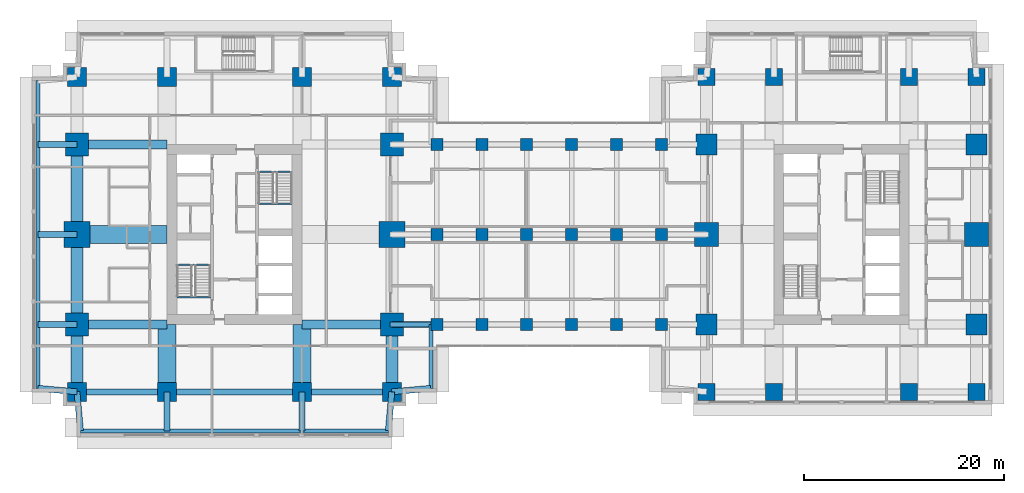
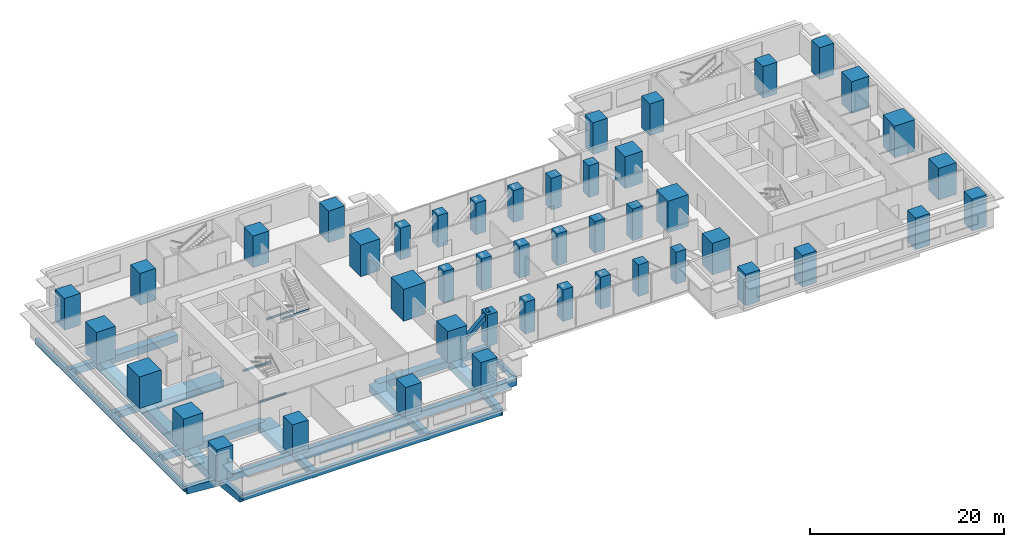
# One storey, part 1 of 16: 46 columns, 30 beams, 1 member.
"""IFC4 building model written with IfcOpenShell, lengths in metres."""

import ifcopenshell
import ifcopenshell.guid

model = None  # the IFC model being written
_history = None  # IfcOwnerHistory: only IFC2X3 demands one
_inside = {}  # id of a spatial element -> (the spatial element, [elements in it])
_under = {}  # id of a project, library or spatial element -> (it, [spatial elements below it])
_declared = {}  # id of a project -> (the project, [libraries it declares])
_typed = {}  # id of a type object -> (the type object, [elements of that type])
_made_of = {}  # id of a material, layer set ... -> (it, [elements and type objects made of it])


def new_model(schema):
    """Start an empty IFC model of exactly this schema.

    Asked for "IFC4X3", IfcOpenShell would pick the latest addendum, in which some entities
    have other attributes; the version numbers below select the first issue.
    IFC2X3 requires an IfcOwnerHistory on every rooted entity: one is made here for all.
    """
    global model, _history
    if schema == "IFC4X3":
        model = ifcopenshell.file(schema_version=(4, 3, 0, 0))
    else:
        model = ifcopenshell.file(schema=schema)
    _inside.clear()
    _under.clear()
    _declared.clear()
    _typed.clear()
    _made_of.clear()
    _history = None
    if model.schema == "IFC2X3":
        org = make("IfcOrganization", Name="unknown")
        user = make(
            "IfcPersonAndOrganization",
            ThePerson=make("IfcPerson", FamilyName="unknown"),
            TheOrganization=org,
        )
        app = make(
            "IfcApplication",
            ApplicationDeveloper=org,
            Version="unknown",
            ApplicationFullName="unknown",
            ApplicationIdentifier="unknown",
        )
        _history = make(
            "IfcOwnerHistory",
            OwningUser=user,
            OwningApplication=app,
            ChangeAction="ADDED",
            CreationDate=0,
        )
    return model


def make(cls, **values):
    """One entity of the class cls with the attributes given. An attribute that is None is left unset."""
    return model.create_entity(
        cls, **{name: value for name, value in values.items() if value is not None}
    )


def rooted(cls, **values):
    """An entity with a GlobalId (a new one), such as an element, a storey or a relation."""
    return make(cls, GlobalId=ifcopenshell.guid.new(), OwnerHistory=_history, **values)


def si_unit(unit_type, name, prefix=None):
    """IfcSIUnit, for example si_unit("LENGTHUNIT", "METRE", prefix="MILLI")."""
    return make("IfcSIUnit", UnitType=unit_type, Prefix=prefix, Name=name)


def assignment(units):
    """IfcUnitAssignment: the units of a project."""
    return None if units is None else make("IfcUnitAssignment", Units=units)


def point(xyz):
    """IfcCartesianPoint."""
    return None if xyz is None else make("IfcCartesianPoint", Coordinates=xyz)


def direction(xyz):
    """IfcDirection."""
    return None if xyz is None else make("IfcDirection", DirectionRatios=xyz)


def frame(location, z_axis=None, x_axis=None):
    """IfcAxis2Placement3D, a coordinate frame: its origin and axes. An axis left out is left unset."""
    return make(
        "IfcAxis2Placement3D",
        Location=point(location),
        Axis=direction(z_axis),
        RefDirection=direction(x_axis),
    )


def frame_2d(location, x_axis=None):
    """IfcAxis2Placement2D, a coordinate frame in the plane: its origin and x axis."""
    return make(
        "IfcAxis2Placement2D", Location=point(location), RefDirection=direction(x_axis)
    )


def origin():
    """The frame at (0, 0, 0) with its axes left unset."""
    return frame((0.0, 0.0, 0.0))


def origin_2d():
    """The frame at (0, 0) in the plane with its x axis left unset."""
    return frame_2d((0.0, 0.0))


def place(relative_to, where):
    """IfcLocalPlacement: puts the frame where relative to a parent placement (None: the world)."""
    return make(
        "IfcLocalPlacement", PlacementRelTo=relative_to, RelativePlacement=where
    )


def context(
    kind, dimensions, precision=None, world=None, true_north=None, identifier=None
):
    """IfcGeometricRepresentationContext, for example the 3D "Model" context."""
    return make(
        "IfcGeometricRepresentationContext",
        ContextIdentifier=identifier,
        ContextType=kind,
        CoordinateSpaceDimension=dimensions,
        Precision=precision,
        WorldCoordinateSystem=world,
        TrueNorth=true_north,
    )


def subcontext(parent, identifier, kind, view, scale=None):
    """IfcGeometricRepresentationSubContext, for example "Body" below "Model"."""
    return make(
        "IfcGeometricRepresentationSubContext",
        ContextIdentifier=identifier,
        ContextType=kind,
        ParentContext=parent,
        TargetScale=scale,
        TargetView=view,
    )


def project(units=None, contexts=None):
    """IfcProject with its units and contexts."""
    return rooted(
        "IfcProject",
        Name="project",
        RepresentationContexts=contexts,
        UnitsInContext=assignment(units),
    )


def spatial(cls, under=None, at=None, **own):
    """A site, building, storey or space (cls), placed at a placement, below another one or the project."""
    s = rooted(cls, ObjectPlacement=at, **own)
    if under is not None:
        _under.setdefault(under.id(), (under, []))[1].append(s)
    return s


def profile(cls, at=None, kind="AREA", **sizes):
    """A parametric profile (cls). Its sizes go by their IFC names, for example OverallWidth=200.0."""
    return make(cls, ProfileType=kind, Position=at, **sizes)


def rectangle(**sizes):
    """IfcRectangleProfileDef."""
    return profile("IfcRectangleProfileDef", **sizes)


def hollow_rectangle(**sizes):
    """IfcRectangleHollowProfileDef."""
    return profile("IfcRectangleHollowProfileDef", **sizes)


def i_section(**sizes):
    """IfcIShapeProfileDef."""
    return profile("IfcIShapeProfileDef", **sizes)


def extrude(swept, where, along, depth):
    """IfcExtrudedAreaSolid: the profile swept, set in the frame where, extruded along a direction by depth."""
    return make(
        "IfcExtrudedAreaSolid",
        SweptArea=swept,
        Position=where,
        ExtrudedDirection=direction(along),
        Depth=depth,
    )


def shape(context_of_items, identifier, shape_type, items):
    """IfcShapeRepresentation: the items that make up one representation, for example the "Body"."""
    return make(
        "IfcShapeRepresentation",
        ContextOfItems=context_of_items,
        RepresentationIdentifier=identifier,
        RepresentationType=shape_type,
        Items=items,
    )


def material(Name=None, Category=None):
    """IfcMaterial."""
    return make("IfcMaterial", Name=Name, Category=Category)


def material_profile(
    of_material, cross_section, Name=None, Category=None, Priority=None
):
    """IfcMaterialProfile: a cross section and its material."""
    return make(
        "IfcMaterialProfile",
        Name=Name,
        Material=of_material,
        Profile=cross_section,
        Priority=Priority,
        Category=Category,
    )


def profile_set(profiles, Name=None, composite=None):
    """IfcMaterialProfileSet."""
    return make(
        "IfcMaterialProfileSet",
        Name=Name,
        MaterialProfiles=profiles,
        CompositeProfile=composite,
    )


def made_of(thing, what):
    """Note that an element or type object is made of a material, layer set ...; save() writes the relation."""
    if what is not None:
        _made_of.setdefault(what.id(), (what, []))[1].append(thing)
    return thing


def type_object(cls, material=None, **own):
    """A type object (cls), such as IfcWallType, which elements share."""
    return made_of(rooted(cls, **own), material)


def element(
    cls,
    number,
    at=None,
    inside=None,
    cuts=None,
    type_object=None,
    material=None,
    context=None,
    identifier="Body",
    shape_type=None,
    held_by="IfcProductDefinitionShape",
    body=None,
    shapes=None,
    **own,
):
    """One element of the class cls, such as IfcWall. Its Tag is "e" and its number.

    at: its placement. inside: the storey or other place that contains it. cuts: it is an
    opening in that element (IfcRelVoidsElement). A single representation is given by context,
    identifier, shape_type and body (its items); several are given by shapes. held_by: the class
    of the entity that holds the representations. save() writes the other relations.
    """
    e = rooted(cls, Tag="e%d" % number, ObjectPlacement=at, **own)
    if body is not None:
        shapes = [shape(context, identifier, shape_type, body)]
    if shapes is not None:
        e.Representation = make(held_by, Representations=shapes)
    if inside is not None:
        _inside.setdefault(inside.id(), (inside, []))[1].append(e)
    if cuts is not None:
        rooted(
            "IfcRelVoidsElement", RelatingBuildingElement=cuts, RelatedOpeningElement=e
        )
    if type_object is not None:
        _typed.setdefault(type_object.id(), (type_object, []))[1].append(e)
    return made_of(e, material)


def aggregate(whole, parts):
    """IfcRelAggregates: a whole, such as a stair, and the parts it consists of."""
    return rooted("IfcRelAggregates", RelatingObject=whole, RelatedObjects=parts)


def save(model, path):
    """Write the relations noted so far, then the file.

    IfcRelAggregates (storeys below a building ...), IfcRelContainedInSpatialStructure (elements
    in a storey), IfcRelDefinesByType, IfcRelAssociatesMaterial and IfcRelDeclares: one each for
    every whole, place, type object, material and project.
    """
    for whole, parts in _under.values():
        aggregate(whole, parts)
    for where, things in _inside.values():
        rooted(
            "IfcRelContainedInSpatialStructure",
            RelatedElements=things,
            RelatingStructure=where,
        )
    for kind, things in _typed.values():
        rooted("IfcRelDefinesByType", RelatedObjects=things, RelatingType=kind)
    for what, things in _made_of.values():
        rooted("IfcRelAssociatesMaterial", RelatedObjects=things, RelatingMaterial=what)
    for by, libraries in _declared.values():
        rooted("IfcRelDeclares", RelatingContext=by, RelatedDefinitions=libraries)
    model.write(path)


model = new_model("IFC4")

# Units and contexts
model_context = context("Model", 3, precision=1e-05, world=origin(), true_north=direction((0.0, 1.0)))
body_context = subcontext(model_context, "Body", "Model", "MODEL_VIEW")
ifc_project = project(units=[si_unit("LENGTHUNIT", "METRE"), si_unit("AREAUNIT", "SQUARE_METRE"), si_unit("VOLUMEUNIT", "CUBIC_METRE"), si_unit("PLANEANGLEUNIT", "RADIAN"), si_unit("MASSUNIT", "GRAM", prefix="KILO")], contexts=[model_context])

# Site, building, storey
site_placement = place(None, origin())
site = spatial("IfcSite", under=ifc_project, at=site_placement, CompositionType="ELEMENT")
building_placement = place(site_placement, origin())
building = spatial("IfcBuilding", under=site, at=building_placement, Name="Namib Vertical Campus", CompositionType="ELEMENT")
storey_placement = place(building_placement, frame((0.0, 0.0, 117.0)))
storey = spatial("IfcBuildingStorey", under=building, at=storey_placement, Name="L27", CompositionType="ELEMENT", Elevation=117.0)

# Columns
ifc_material_1 = material(Name="Concrete C60/75", Category="concrete")
ifc_material_profile_1 = material_profile(ifc_material_1, rectangle(XDim=1.199951171875, YDim=1.199951171875, at=origin_2d()))
ifc_profile_set_1 = profile_set([ifc_material_profile_1], Name="Concrete C60/75")
column_type_1 = type_object("IfcColumnType", Name="Bridge column RC 1200x1200", PredefinedType="COLUMN", material=ifc_profile_set_1)
for number, where, z_axis, x_axis, name in (
    (1, (40.5, 11.25, 0.0), (0.0, 0.0, 1.0), (1.0, 0.0, 0.0), "Column BC6 L27"),
    (2, (45.0, 11.25, 0.0), (0.0, 0.0, 1.0), (1.0, 0.0, 0.0), "Column BC6 L27"),
    (3, (49.5, 11.25, 0.0), (0.0, 0.0, 1.0), (1.0, 0.0, 0.0), "Column BC6 L27"),
    (4, (54.0, 11.25, 0.0), (0.0, 0.0, 1.0), (1.0, 0.0, 0.0), "Column BC6 L27"),
    (5, (58.5, 11.25, 0.0), (0.0, 0.0, 1.0), (1.0, 0.0, 0.0), "Column BC6 L27"),
    (6, (63.0, 11.25, 0.0), (0.0, 0.0, 1.0), (1.0, 0.0, 0.0), "Column BC6 L27"),
    (7, (40.5, 20.25, 0.0), (0.0, 0.0, 1.0), (1.0, 0.0, 0.0), "Column BC6 L27"),
    (8, (45.0, 20.25, 0.0), (0.0, 0.0, 1.0), (1.0, 0.0, 0.0), "Column BC6 L27"),
    (9, (49.5, 20.25, 0.0), (0.0, 0.0, 1.0), (1.0, 0.0, 0.0), "Column BC6 L27"),
    (10, (54.0, 20.25, 0.0), (0.0, 0.0, 1.0), (1.0, 0.0, 0.0), "Column BC6 L27"),
    (11, (58.5, 20.25, 0.0), (0.0, 0.0, 1.0), (1.0, 0.0, 0.0), "Column BC6 L27"),
    (12, (63.0, 20.25, 0.0), (0.0, 0.0, 1.0), (1.0, 0.0, 0.0), "Column BC6 L27"),
    (13, (40.5, 29.25, 0.0), (0.0, 0.0, 1.0), (1.0, 0.0, 0.0), "Column BC6 L27"),
    (14, (45.0, 29.25, 0.0), (0.0, 0.0, 1.0), (1.0, 0.0, 0.0), "Column BC6 L27"),
    (15, (49.5, 29.25, 0.0), (0.0, 0.0, 1.0), (1.0, 0.0, 0.0), "Column BC6 L27"),
    (16, (54.0, 29.25, 0.0), (0.0, 0.0, 1.0), (1.0, 0.0, 0.0), "Column BC6 L27"),
    (17, (58.5, 29.25, 0.0), (0.0, 0.0, 1.0), (1.0, 0.0, 0.0), "Column BC6 L27"),
    (18, (63.0, 29.25, 0.0), (0.0, 0.0, 1.0), (1.0, 0.0, 0.0), "Column BC6 L27"),
):
    element("IfcColumn", number, at=place(storey_placement, frame(where, z_axis=z_axis, x_axis=x_axis)), inside=storey, type_object=column_type_1, Name=name, PredefinedType="COLUMN", context=body_context, shape_type="SweptSolid", body=[
        extrude(rectangle(XDim=1.199951171875, YDim=1.199951171875, at=origin_2d()), origin(), (0.0, 0.0, 1.0), 4.0),
    ])
ifc_material_2 = material(Name="Concrete C60/75", Category="concrete")
ifc_material_profile_2 = material_profile(ifc_material_2, rectangle(XDim=1.699951171875, YDim=1.699951171875, at=origin_2d()))
ifc_profile_set_2 = profile_set([ifc_material_profile_2], Name="Concrete C60/75")
column_type_2 = type_object("IfcColumnType", Name="Column RC 1700x1700", PredefinedType="COLUMN", material=ifc_profile_set_2)
for number, where, z_axis, x_axis, name in (
    (19, (67.5, 4.5, 0.0), (0.0, 0.0, 1.0), (1.0, 0.0, 0.0), "Column C170 L27"),
    (20, (74.25, 4.5, 0.0), (0.0, 0.0, 1.0), (1.0, 0.0, 0.0), "Column C170 L27"),
    (21, (87.75, 4.5, 0.0), (0.0, 0.0, 1.0), (1.0, 0.0, 0.0), "Column C170 L27"),
    (22, (94.5, 4.5, 0.0), (0.0, 0.0, 1.0), (1.0, 0.0, 0.0), "Column C170 L27"),
    (23, (67.5, 36.0, 0.0), (0.0, 0.0, 1.0), (1.0, 0.0, 0.0), "Column C170 L27"),
    (24, (74.25, 36.0, 0.0), (0.0, 0.0, 1.0), (1.0, 0.0, 0.0), "Column C170 L27"),
    (25, (87.75, 36.0, 0.0), (0.0, 0.0, 1.0), (1.0, 0.0, 0.0), "Column C170 L27"),
    (26, (94.5, 36.0, 0.0), (0.0, 0.0, 1.0), (1.0, 0.0, 0.0), "Column C170 L27"),
):
    element("IfcColumn", number, at=place(storey_placement, frame(where, z_axis=z_axis, x_axis=x_axis)), inside=storey, type_object=column_type_2, Name=name, PredefinedType="COLUMN", context=body_context, shape_type="SweptSolid", body=[
        extrude(rectangle(XDim=1.699951171875, YDim=1.699951171875, at=origin_2d()), origin(), (0.0, 0.0, 1.0), 4.0),
    ])
ifc_material_3 = material(Name="Concrete C60/75", Category="concrete")
ifc_material_profile_3 = material_profile(ifc_material_3, rectangle(XDim=1.89990234375, YDim=1.89990234375, at=origin_2d()))
ifc_profile_set_3 = profile_set([ifc_material_profile_3], Name="Concrete C60/75")
column_type_3 = type_object("IfcColumnType", Name="Column RC 1900x1900", PredefinedType="COLUMN", material=ifc_profile_set_3)
for number, where, z_axis, x_axis, name in (
    (27, (4.5, 4.5, 0.0), (0.0, 0.0, 1.0), (1.0, 0.0, 0.0), "Column C190 L27"),
    (28, (13.5, 4.5, 0.0), (0.0, 0.0, 1.0), (1.0, 0.0, 0.0), "Column C190 L27"),
    (29, (27.0, 4.5, 0.0), (0.0, 0.0, 1.0), (1.0, 0.0, 0.0), "Column C190 L27"),
    (30, (36.0, 4.5, 0.0), (0.0, 0.0, 1.0), (1.0, 0.0, 0.0), "Column C190 L27"),
    (31, (4.5, 36.0, 0.0), (0.0, 0.0, 1.0), (1.0, 0.0, 0.0), "Column C190 L27"),
    (32, (13.5, 36.0, 0.0), (0.0, 0.0, 1.0), (1.0, 0.0, 0.0), "Column C190 L27"),
    (33, (27.0, 36.0, 0.0), (0.0, 0.0, 1.0), (1.0, 0.0, 0.0), "Column C190 L27"),
    (34, (36.0, 36.0, 0.0), (0.0, 0.0, 1.0), (1.0, 0.0, 0.0), "Column C190 L27"),
):
    element("IfcColumn", number, at=place(storey_placement, frame(where, z_axis=z_axis, x_axis=x_axis)), inside=storey, type_object=column_type_3, Name=name, PredefinedType="COLUMN", context=body_context, shape_type="SweptSolid", body=[
        extrude(rectangle(XDim=1.89990234375, YDim=1.89990234375, at=origin_2d()), origin(), (0.0, 0.0, 1.0), 4.0),
    ])
ifc_material_4 = material(Name="Concrete C60/75", Category="concrete")
ifc_material_profile_4 = material_profile(ifc_material_4, rectangle(XDim=2.10009765625, YDim=2.10009765625, at=origin_2d()))
ifc_profile_set_4 = profile_set([ifc_material_profile_4], Name="Concrete C60/75")
column_type_4 = type_object("IfcColumnType", Name="Column RC 2100x2100", PredefinedType="COLUMN", material=ifc_profile_set_4)
for number, where, z_axis, x_axis, name in (
    (35, (67.5, 11.25, 0.0), (0.0, 0.0, 1.0), (1.0, 0.0, 0.0), "Column C210 L27"),
    (36, (94.5, 11.25, 0.0), (0.0, 0.0, 1.0), (1.0, 0.0, 0.0), "Column C210 L27"),
    (37, (67.5, 29.25, 0.0), (0.0, 0.0, 1.0), (1.0, 0.0, 0.0), "Column C210 L27"),
    (38, (94.5, 29.25, 0.0), (0.0, 0.0, 1.0), (1.0, 0.0, 0.0), "Column C210 L27"),
):
    element("IfcColumn", number, at=place(storey_placement, frame(where, z_axis=z_axis, x_axis=x_axis)), inside=storey, type_object=column_type_4, Name=name, PredefinedType="COLUMN", context=body_context, shape_type="SweptSolid", body=[
        extrude(rectangle(XDim=2.10009765625, YDim=2.10009765625, at=origin_2d()), origin(), (0.0, 0.0, 1.0), 4.0),
    ])
ifc_material_5 = material(Name="Concrete C60/75", Category="concrete")
ifc_material_profile_5 = material_profile(ifc_material_5, rectangle(XDim=2.300048828125, YDim=2.300048828125, at=origin_2d()))
ifc_profile_set_5 = profile_set([ifc_material_profile_5], Name="Concrete C60/75")
column_type_5 = type_object("IfcColumnType", Name="Column RC 2300x2300", PredefinedType="COLUMN", material=ifc_profile_set_5)
for number, where, z_axis, x_axis, name in (
    (39, (4.5, 11.25, 0.0), (0.0, 0.0, 1.0), (1.0, 0.0, 0.0), "Column C230 L27"),
    (40, (36.0, 11.25, 0.0), (0.0, 0.0, 1.0), (1.0, 0.0, 0.0), "Column C230 L27"),
    (41, (4.5, 29.25, 0.0), (0.0, 0.0, 1.0), (1.0, 0.0, 0.0), "Column C230 L27"),
    (42, (36.0, 29.25, 0.0), (0.0, 0.0, 1.0), (1.0, 0.0, 0.0), "Column C230 L27"),
):
    element("IfcColumn", number, at=place(storey_placement, frame(where, z_axis=z_axis, x_axis=x_axis)), inside=storey, type_object=column_type_5, Name=name, PredefinedType="COLUMN", context=body_context, shape_type="SweptSolid", body=[
        extrude(rectangle(XDim=2.300048828125, YDim=2.300048828125, at=origin_2d()), origin(), (0.0, 0.0, 1.0), 4.0),
    ])
ifc_material_6 = material(Name="Concrete C60/75", Category="concrete")
ifc_material_profile_6 = material_profile(ifc_material_6, rectangle(XDim=2.39990234375, YDim=2.39990234375, at=origin_2d()))
ifc_profile_set_6 = profile_set([ifc_material_profile_6], Name="Concrete C60/75")
column_type_6 = type_object("IfcColumnType", Name="Column RC 2400x2400", PredefinedType="COLUMN", material=ifc_profile_set_6)
for number, where, z_axis, x_axis, name in (
    (43, (67.5, 20.25, 0.0), (0.0, 0.0, 1.0), (1.0, 0.0, 0.0), "Column C240 L27"),
    (44, (94.5, 20.25, 0.0), (0.0, 0.0, 1.0), (1.0, 0.0, 0.0), "Column C240 L27"),
):
    element("IfcColumn", number, at=place(storey_placement, frame(where, z_axis=z_axis, x_axis=x_axis)), inside=storey, type_object=column_type_6, Name=name, PredefinedType="COLUMN", context=body_context, shape_type="SweptSolid", body=[
        extrude(rectangle(XDim=2.39990234375, YDim=2.39990234375, at=origin_2d()), origin(), (0.0, 0.0, 1.0), 4.0),
    ])
ifc_material_7 = material(Name="Concrete C60/75", Category="concrete")
ifc_material_profile_7 = material_profile(ifc_material_7, rectangle(XDim=2.60009765625, YDim=2.60009765625, at=origin_2d()))
ifc_profile_set_7 = profile_set([ifc_material_profile_7], Name="Concrete C60/75")
column_type_7 = type_object("IfcColumnType", Name="Column RC 2600x2600", PredefinedType="COLUMN", material=ifc_profile_set_7)
for number, where, z_axis, x_axis, name in (
    (45, (4.5, 20.25, 0.0), (0.0, 0.0, 1.0), (1.0, 0.0, 0.0), "Column C260 L27"),
    (46, (36.0, 20.25, 0.0), (0.0, 0.0, 1.0), (1.0, 0.0, 0.0), "Column C260 L27"),
):
    element("IfcColumn", number, at=place(storey_placement, frame(where, z_axis=z_axis, x_axis=x_axis)), inside=storey, type_object=column_type_7, Name=name, PredefinedType="COLUMN", context=body_context, shape_type="SweptSolid", body=[
        extrude(rectangle(XDim=2.60009765625, YDim=2.60009765625, at=origin_2d()), origin(), (0.0, 0.0, 1.0), 4.0),
    ])

# Member
ifc_material_8 = material(Name="Steel S355JR", Category="steel")
ifc_material_profile_8 = material_profile(ifc_material_8, hollow_rectangle(XDim=0.5, YDim=0.5, WallThickness=0.031982421875, at=origin_2d()))
ifc_profile_set_8 = profile_set([ifc_material_profile_8], Name="Steel S355JR")
member_type = type_object("IfcMemberType", Name="Bridge end brace WB 500x500x32", PredefinedType="BRACE", material=ifc_profile_set_8)
member_placement = place(storey_placement, frame((36.0, 11.25, 0.0), z_axis=(0.747409318684, 0.0, 0.66436383883), x_axis=(0.0, 1.0, 0.0)))
element("IfcMember", 47, at=member_placement, inside=storey, type_object=member_type, Name="Bridge brace BX1 L27 T1 bay 1", PredefinedType="BRACE", context=body_context, shape_type="SweptSolid", body=[
    extrude(hollow_rectangle(XDim=0.5, YDim=0.5, WallThickness=0.031982421875, at=origin_2d()), origin(), (0.0, 0.0, 1.0), 6.020751953125),
])

# Beams
ifc_material_9 = material(Name="Steel S355JR", Category="steel")
ifc_material_profile_9 = material_profile(ifc_material_9, hollow_rectangle(XDim=0.60009765625, YDim=0.89990234375, WallThickness=0.050048828125, at=origin_2d()))
ifc_profile_set_9 = profile_set([ifc_material_profile_9], Name="Steel S355JR")
beam_type_1 = type_object("IfcBeamType", Name="Bridge girder WB 900x600x50", PredefinedType="BEAM", material=ifc_profile_set_9)
beam_1_placement = place(storey_placement, frame((36.0, 11.25, -0.699951171875), z_axis=(1.0, 0.0, 0.0), x_axis=(0.0, 1.0, 0.0)))
element("IfcBeam", 48, at=beam_1_placement, inside=storey, type_object=beam_type_1, Name="Bridge girder BG1 L27", PredefinedType="BEAM", context=body_context, shape_type="SweptSolid", body=[
    extrude(hollow_rectangle(XDim=0.60009765625, YDim=0.89990234375, WallThickness=0.050048828125, at=origin_2d()), origin(), (0.0, 0.0, 1.0), 4.5),
])
ifc_material_10 = material(Name="Concrete C40/50", Category="concrete")
ifc_material_profile_10 = material_profile(ifc_material_10, rectangle(XDim=0.60009765625, YDim=0.89990234375, at=origin_2d()))
ifc_profile_set_10 = profile_set([ifc_material_profile_10], Name="Concrete C40/50")
beam_type_2 = type_object("IfcBeamType", Name="Cantilever girder RC 600x900", PredefinedType="BEAM", material=ifc_profile_set_10)
beam_2_placement = place(storey_placement, frame((4.5, 4.5, -0.699951171875), z_axis=(0.089411326146, -0.995994786511, 0.0), x_axis=(0.995994786511, 0.089411326146, 0.0)))
element("IfcBeam", 49, at=beam_2_placement, inside=storey, type_object=beam_type_2, Name="Beam B3 L27", PredefinedType="BEAM", context=body_context, shape_type="SweptSolid", body=[
    extrude(rectangle(XDim=0.60009765625, YDim=0.89990234375, at=origin_2d()), origin(), (0.0, 0.0, 1.0), 3.91552734375),
])
for number, where, z_axis, x_axis, name in (
    (50, (13.5, 4.5, -0.699951171875), (0.0, -1.0, 0.0), (1.0, 0.0, 0.0), "Beam B3 L27"),
    (51, (27.0, 4.5, -0.699951171875), (0.0, -1.0, 0.0), (1.0, 0.0, 0.0), "Beam B3 L27"),
):
    element("IfcBeam", number, at=place(storey_placement, frame(where, z_axis=z_axis, x_axis=x_axis)), inside=storey, type_object=beam_type_2, Name=name, PredefinedType="BEAM", context=body_context, shape_type="SweptSolid", body=[
        extrude(rectangle(XDim=0.60009765625, YDim=0.89990234375, at=origin_2d()), origin(), (0.0, 0.0, 1.0), 3.89990234375),
    ])
for number, where, z_axis, x_axis, name in (
    (52, (36.0, 4.5, -0.699951171875), (-0.089411326146, -0.995994786511, 0.0), (0.995994786511, -0.089411326146, 0.0), "Beam B3 L27"),
    (53, (4.5, 4.5, -0.699951171875), (-0.995994786511, 0.089411326146, 0.0), (-0.089411326146, -0.995994786511, 0.0), "Beam B3 L27"),
):
    element("IfcBeam", number, at=place(storey_placement, frame(where, z_axis=z_axis, x_axis=x_axis)), inside=storey, type_object=beam_type_2, Name=name, PredefinedType="BEAM", context=body_context, shape_type="SweptSolid", body=[
        extrude(rectangle(XDim=0.60009765625, YDim=0.89990234375, at=origin_2d()), origin(), (0.0, 0.0, 1.0), 3.91552734375),
    ])
for number, where, z_axis, x_axis, name in (
    (54, (4.5, 11.25, -0.699951171875), (-1.0, 0.0, 0.0), (0.0, -1.0, 0.0), "Beam B3 L27"),
    (55, (4.5, 20.25, -0.699951171875), (-1.0, 0.0, 0.0), (0.0, -1.0, 0.0), "Beam B3 L27"),
    (56, (4.5, 29.25, -0.699951171875), (-1.0, 0.0, 0.0), (0.0, -1.0, 0.0), "Beam B3 L27"),
):
    element("IfcBeam", number, at=place(storey_placement, frame(where, z_axis=z_axis, x_axis=x_axis)), inside=storey, type_object=beam_type_2, Name=name, PredefinedType="BEAM", context=body_context, shape_type="SweptSolid", body=[
        extrude(rectangle(XDim=0.60009765625, YDim=0.89990234375, at=origin_2d()), origin(), (0.0, 0.0, 1.0), 3.89990234375),
    ])
beam_3_placement = place(storey_placement, frame((36.0, 4.5, -0.699951171875), z_axis=(0.995994786511, 0.089411326146, 0.0), x_axis=(-0.089411326146, 0.995994786511, 0.0)))
element("IfcBeam", 57, at=beam_3_placement, inside=storey, type_object=beam_type_2, Name="Beam B3 L27", PredefinedType="BEAM", context=body_context, shape_type="SweptSolid", body=[
    extrude(rectangle(XDim=0.60009765625, YDim=0.89990234375, at=origin_2d()), origin(), (0.0, 0.0, 1.0), 3.91552734375),
])
ifc_material_11 = material(Name="Concrete C40/50", Category="concrete")
ifc_material_profile_11 = material_profile(ifc_material_11, rectangle(XDim=0.39990234375, YDim=0.699951171875, at=origin_2d()))
ifc_profile_set_11 = profile_set([ifc_material_profile_11], Name="Concrete C40/50")
beam_type_3 = type_object("IfcBeamType", Name="Edge beam RC 400x700", PredefinedType="SPANDREL", material=ifc_profile_set_11)
for number, where, z_axis, x_axis, name in (
    (58, (4.85009765625, 0.60009765625, -0.60009765625), (1.0, 0.0, 0.0), (0.0, 1.0, 0.0), "Beam B4 L27"),
    (59, (0.60009765625, 4.85009765625, -0.60009765625), (0.0, 1.0, 0.0), (-1.0, 0.0, 0.0), "Beam B4 L27"),
):
    element("IfcBeam", number, at=place(storey_placement, frame(where, z_axis=z_axis, x_axis=x_axis)), inside=storey, type_object=beam_type_3, Name=name, PredefinedType="SPANDREL", context=body_context, shape_type="SweptSolid", body=[
        extrude(rectangle(XDim=0.39990234375, YDim=0.699951171875, at=origin_2d()), origin(), (0.0, 0.0, 1.0), 30.7998046875),
    ])
beam_4_placement = place(storey_placement, frame((39.89990234375, 4.85009765625, -0.60009765625), z_axis=(0.0, 1.0, 0.0), x_axis=(-1.0, 0.0, 0.0)))
element("IfcBeam", 60, at=beam_4_placement, inside=storey, type_object=beam_type_3, Name="Beam B4 L27", PredefinedType="SPANDREL", context=body_context, shape_type="SweptSolid", body=[
    extrude(rectangle(XDim=0.39990234375, YDim=0.699951171875, at=origin_2d()), origin(), (0.0, 0.0, 1.0), 6.39990234375),
])
ifc_material_12 = material(Name="Concrete C40/50", Category="concrete")
ifc_material_profile_12 = material_profile(ifc_material_12, rectangle(XDim=0.89990234375, YDim=0.89990234375, at=origin_2d()))
ifc_profile_set_12 = profile_set([ifc_material_profile_12], Name="Concrete C40/50")
beam_type_4 = type_object("IfcBeamType", Name="Face girder RC 900x900", PredefinedType="BEAM", material=ifc_profile_set_12)
for number, where, z_axis, x_axis, name in (
    (61, (4.5, 11.25, -0.699951171875), (1.0, 0.0, 0.0), (0.0, 1.0, 0.0), "Beam B10 L27"),
    (62, (36.0, 11.25, -0.699951171875), (-1.0, 0.0, 0.0), (0.0, -1.0, 0.0), "Beam B10 L27"),
    (63, (4.5, 29.25, -0.699951171875), (1.0, 0.0, 0.0), (0.0, 1.0, 0.0), "Beam B10 L27"),
):
    element("IfcBeam", number, at=place(storey_placement, frame(where, z_axis=z_axis, x_axis=x_axis)), inside=storey, type_object=beam_type_4, Name=name, PredefinedType="BEAM", context=body_context, shape_type="SweptSolid", body=[
        extrude(rectangle(XDim=0.89990234375, YDim=0.89990234375, at=origin_2d()), origin(), (0.0, 0.0, 1.0), 9.0),
    ])
ifc_material_13 = material(Name="Concrete C40/50", Category="concrete")
ifc_material_profile_13 = material_profile(ifc_material_13, rectangle(XDim=1.199951171875, YDim=1.10009765625, at=origin_2d()))
ifc_profile_set_13 = profile_set([ifc_material_profile_13], Name="Concrete C40/50")
beam_type_5 = type_object("IfcBeamType", Name="Face ring beam RC 1200x1100", PredefinedType="BEAM", material=ifc_profile_set_13)
beam_5_placement = place(storey_placement, frame((4.5, 4.5, -0.800048828125), z_axis=(0.0, 1.0, 0.0), x_axis=(-1.0, 0.0, 0.0)))
element("IfcBeam", 64, at=beam_5_placement, inside=storey, type_object=beam_type_5, Name="Beam B11 L27", PredefinedType="BEAM", context=body_context, shape_type="SweptSolid", body=[
    extrude(rectangle(XDim=1.199951171875, YDim=1.10009765625, at=origin_2d()), origin(), (0.0, 0.0, 1.0), 6.75),
])
for number, where, z_axis, x_axis, name in (
    (65, (4.5, 11.25, -0.800048828125), (0.0, 1.0, 0.0), (-1.0, 0.0, 0.0), "Beam B11 L27"),
    (66, (4.5, 20.25, -0.800048828125), (0.0, 1.0, 0.0), (-1.0, 0.0, 0.0), "Beam B11 L27"),
):
    element("IfcBeam", number, at=place(storey_placement, frame(where, z_axis=z_axis, x_axis=x_axis)), inside=storey, type_object=beam_type_5, Name=name, PredefinedType="BEAM", context=body_context, shape_type="SweptSolid", body=[
        extrude(rectangle(XDim=1.199951171875, YDim=1.10009765625, at=origin_2d()), origin(), (0.0, 0.0, 1.0), 9.0),
    ])
beam_6_placement = place(storey_placement, frame((36.0, 4.5, -0.800048828125), z_axis=(0.0, 1.0, 0.0), x_axis=(-1.0, 0.0, 0.0)))
element("IfcBeam", 67, at=beam_6_placement, inside=storey, type_object=beam_type_5, Name="Beam B11 L27", PredefinedType="BEAM", context=body_context, shape_type="SweptSolid", body=[
    extrude(rectangle(XDim=1.199951171875, YDim=1.10009765625, at=origin_2d()), origin(), (0.0, 0.0, 1.0), 6.75),
])
ifc_material_14 = material(Name="Steel S355JR", Category="steel")
ifc_material_profile_14 = material_profile(ifc_material_14, i_section(OverallWidth=0.14599609375, OverallDepth=0.25146484375, WebThickness=0.006103515625, FlangeThickness=0.008544921875, FilletRadius=0.007568359375, at=origin_2d()))
ifc_profile_set_14 = profile_set([ifc_material_profile_14], Name="Steel S355JR")
beam_type_6 = type_object("IfcBeamType", Name="Landing trimmer UB 254x146x31", PredefinedType="BEAM", material=ifc_profile_set_14)
for number, where, z_axis, x_axis, name in (
    (68, (14.5, 13.97705078125, -0.125732421875), (1.0, 0.0, 0.0), (0.0, 1.0, 0.0), "Landing trimmer LT1 A-S1 L27 1"),
    (69, (14.5, 17.203125, 1.874267578125), (1.0, 0.0, 0.0), (0.0, 1.0, 0.0), "Landing trimmer LT1 A-S1 L27 2"),
    (70, (22.64990234375, 26.52294921875, -0.125732421875), (1.0, 0.0, 0.0), (0.0, 1.0, 0.0), "Landing trimmer LT1 A-S2 L27 1"),
    (71, (22.64990234375, 23.296875, 1.874267578125), (1.0, 0.0, 0.0), (0.0, 1.0, 0.0), "Landing trimmer LT1 A-S2 L27 2"),
):
    element("IfcBeam", number, at=place(storey_placement, frame(where, z_axis=z_axis, x_axis=x_axis)), inside=storey, type_object=beam_type_6, Name=name, PredefinedType="BEAM", context=body_context, shape_type="SweptSolid", body=[
        extrude(i_section(OverallWidth=0.14599609375, OverallDepth=0.25146484375, WebThickness=0.006103515625, FlangeThickness=0.008544921875, FilletRadius=0.007568359375, at=origin_2d()), origin(), (0.0, 0.0, 1.0), 3.35009765625),
    ])
ifc_material_15 = material(Name="Concrete C40/50", Category="concrete")
ifc_material_profile_15 = material_profile(ifc_material_15, rectangle(XDim=0.60009765625, YDim=1.199951171875, at=origin_2d()))
ifc_profile_set_15 = profile_set([ifc_material_profile_15], Name="Concrete C40/50")
beam_type_7 = type_object("IfcBeamType", Name="Long-span ring beam RC 600x1200", PredefinedType="BEAM", material=ifc_profile_set_15)
beam_7_placement = place(storey_placement, frame((13.5, 4.5, -0.85009765625), z_axis=(1.0, 0.0, 0.0), x_axis=(0.0, 1.0, 0.0)))
element("IfcBeam", 72, at=beam_7_placement, inside=storey, type_object=beam_type_7, Name="Beam B9 L27", PredefinedType="BEAM", context=body_context, shape_type="SweptSolid", body=[
    extrude(rectangle(XDim=0.60009765625, YDim=1.199951171875, at=origin_2d()), origin(), (0.0, 0.0, 1.0), 13.5),
])
ifc_material_16 = material(Name="Concrete C40/50", Category="concrete")
ifc_material_profile_16 = material_profile(ifc_material_16, rectangle(XDim=1.800048828125, YDim=0.89990234375, at=origin_2d()))
ifc_profile_set_16 = profile_set([ifc_material_profile_16], Name="Concrete C40/50")
beam_type_8 = type_object("IfcBeamType", Name="Outrigger line girder RC 1800x900", PredefinedType="BEAM", material=ifc_profile_set_16)
for number, where, z_axis, x_axis, name in (
    (73, (13.5, 4.5, -0.699951171875), (0.0, 1.0, 0.0), (-1.0, 0.0, 0.0), "Beam B12 L27"),
    (74, (27.0, 4.5, -0.699951171875), (0.0, 1.0, 0.0), (-1.0, 0.0, 0.0), "Beam B12 L27"),
):
    element("IfcBeam", number, at=place(storey_placement, frame(where, z_axis=z_axis, x_axis=x_axis)), inside=storey, type_object=beam_type_8, Name=name, PredefinedType="BEAM", context=body_context, shape_type="SweptSolid", body=[
        extrude(rectangle(XDim=1.800048828125, YDim=0.89990234375, at=origin_2d()), origin(), (0.0, 0.0, 1.0), 6.75),
    ])
beam_8_placement = place(storey_placement, frame((4.5, 20.25, -0.699951171875), z_axis=(1.0, 0.0, 0.0), x_axis=(0.0, 1.0, 0.0)))
element("IfcBeam", 75, at=beam_8_placement, inside=storey, type_object=beam_type_8, Name="Beam B12 L27", PredefinedType="BEAM", context=body_context, shape_type="SweptSolid", body=[
    extrude(rectangle(XDim=1.800048828125, YDim=0.89990234375, at=origin_2d()), origin(), (0.0, 0.0, 1.0), 9.0),
])
ifc_material_17 = material(Name="Concrete C40/50", Category="concrete")
ifc_material_profile_17 = material_profile(ifc_material_17, rectangle(XDim=0.60009765625, YDim=0.800048828125, at=origin_2d()))
ifc_profile_set_17 = profile_set([ifc_material_profile_17], Name="Concrete C40/50")
beam_type_9 = type_object("IfcBeamType", Name="Ring beam RC 600x800", PredefinedType="BEAM", material=ifc_profile_set_17)
for number, where, z_axis, x_axis, name in (
    (76, (4.5, 4.5, -0.64990234375), (1.0, 0.0, 0.0), (0.0, 1.0, 0.0), "Beam B1 L27"),
    (77, (27.0, 4.5, -0.64990234375), (1.0, 0.0, 0.0), (0.0, 1.0, 0.0), "Beam B1 L27"),
):
    element("IfcBeam", number, at=place(storey_placement, frame(where, z_axis=z_axis, x_axis=x_axis)), inside=storey, type_object=beam_type_9, Name=name, PredefinedType="BEAM", context=body_context, shape_type="SweptSolid", body=[
        extrude(rectangle(XDim=0.60009765625, YDim=0.800048828125, at=origin_2d()), origin(), (0.0, 0.0, 1.0), 9.0),
    ])

save(model, "model.ifc")
